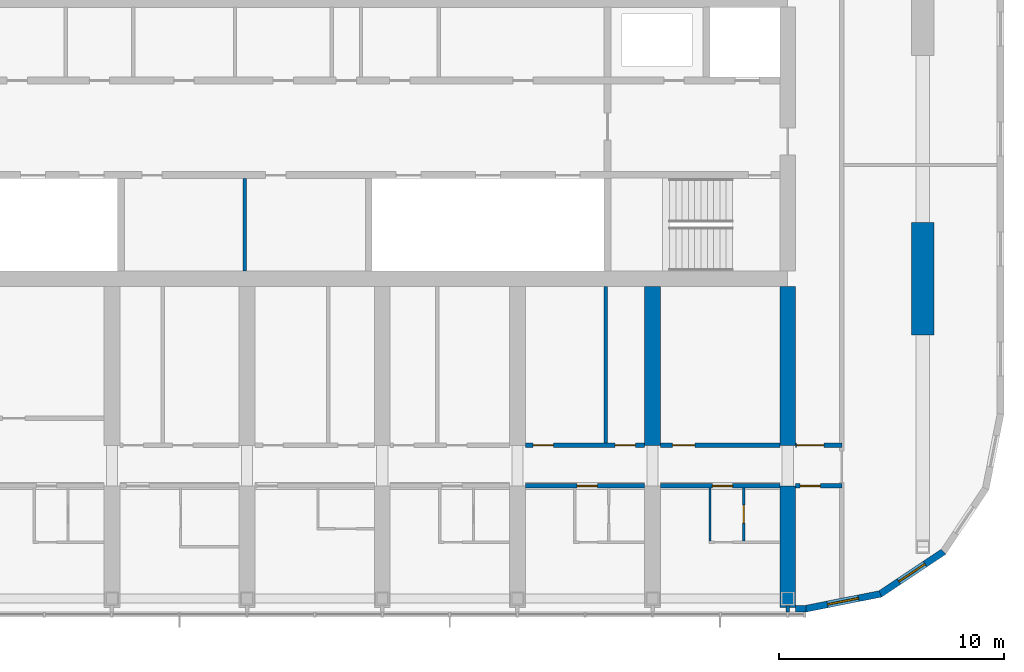
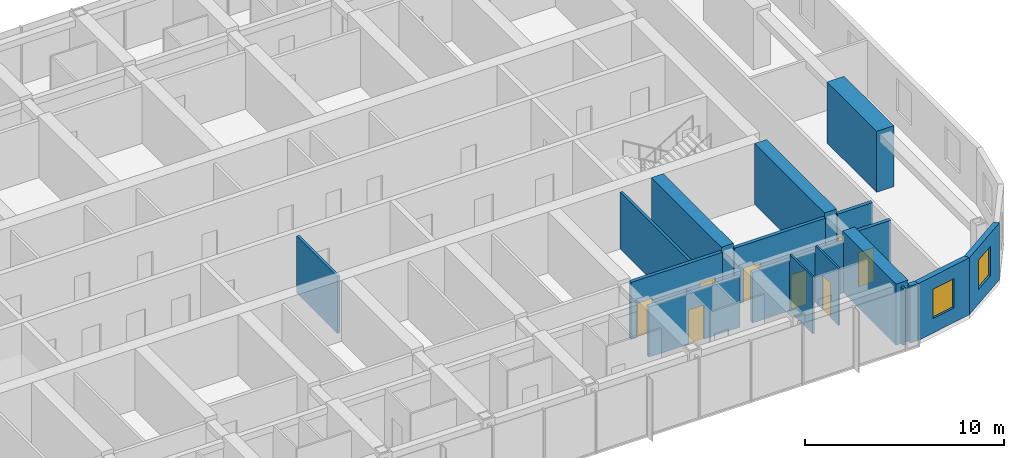
# One storey, part 13 of 23: 18 walls, 8 doors, 2 windows, 10 openings.
"""IFC4 building model written with IfcOpenShell, lengths in metres."""

from ifc_helpers import new_model, si_unit, direction, frame, frame_2d, origin, place, context, subcontext, project, spatial, polyline, rectangle, outline, extrude, material, layer, layer_set, type_object, element, fill, save


model = new_model("IFC4")

# Units and contexts
model_context = context("Model", 3, precision=1e-05, world=origin(), true_north=direction((0.0, 1.0)))
body_context = subcontext(model_context, "Body", "Model", "MODEL_VIEW")
ifc_project = project(units=[si_unit("LENGTHUNIT", "METRE"), si_unit("AREAUNIT", "SQUARE_METRE"), si_unit("VOLUMEUNIT", "CUBIC_METRE"), si_unit("PLANEANGLEUNIT", "RADIAN"), si_unit("MASSUNIT", "GRAM", prefix="KILO")], contexts=[model_context])

# Site, building, storey
site_placement = place(None, origin())
site = spatial("IfcSite", under=ifc_project, at=site_placement, CompositionType="ELEMENT")
building_placement = place(site_placement, origin())
building = spatial("IfcBuilding", under=site, at=building_placement, Name="Orbita Commons", CompositionType="ELEMENT")
storey_placement = place(building_placement, frame((0.0, 0.0, 250.300048828125)))
storey = spatial("IfcBuildingStorey", under=building, at=storey_placement, Name="L62", CompositionType="ELEMENT", Elevation=250.300048828125)

# Wall
ifc_material_1 = material(Name="Concrete blockwork", Category="masonry")
ifc_layer_1 = layer(ifc_material_1, 0.14990234375)
ifc_layer_set_1 = layer_set([ifc_layer_1], Name="Concrete blockwork")
wall_type_1 = type_object("IfcWallType", Name="Core partition 150 blockwork", PredefinedType="SOLIDWALL", material=ifc_layer_set_1)
wall_1_placement = place(storey_placement, frame((41.89990234375, 26.14990234375, 0.0), z_axis=(0.0, 0.0, 1.0), x_axis=(0.0, 1.0, 0.0)))
element("IfcWall", 1, at=wall_1_placement, inside=storey, type_object=wall_type_1, Name="Core partition 150 blockwork L62", PredefinedType="SOLIDWALL", context=body_context, shape_type="SweptSolid", body=[
    extrude(rectangle(XDim=4.10009765625, YDim=0.14990234375, at=frame_2d((2.050048828125, 0.0))), origin(), (0.0, 0.0, 1.0), 3.5),
])

# Wall, opening, door
ifc_material_2 = material(Name="Concrete blockwork", Category="masonry")
ifc_layer_2 = layer(ifc_material_2, 0.199951171875)
ifc_layer_set_2 = layer_set([ifc_layer_2], Name="Concrete blockwork")
wall_type_2 = type_object("IfcWallType", Name="Corridor wall 200 blockwork", PredefinedType="SOLIDWALL", material=ifc_layer_set_2)
wall_2_placement = place(storey_placement, frame((54.35009765625, 16.60009765625, 0.0), z_axis=(0.0, 0.0, 1.0), x_axis=(1.0, 0.0, 0.0)))
wall_2 = element("IfcWall", 2, at=wall_2_placement, inside=storey, type_object=wall_type_2, Name="Corridor wall 200 blockwork L62", PredefinedType="SOLIDWALL", context=body_context, shape_type="SweptSolid", body=[
    extrude(outline(polyline([(0.0, 0.0), (5.2998046875, 0.0), (5.300048828125, 3.099853515625), (0.0, 3.099853515625), (0.0, 0.0)])), frame((0.0, 0.10009765625, 0.0), z_axis=(0.0, -1.0, 0.0), x_axis=(1.0, 0.0, 0.0)), (0.0, 0.0, 1.0), 0.199951171875),
])
opening_1_placement = place(wall_2_placement, frame((2.300048828125, 0.0, 0.0)))
opening_1 = element("IfcOpeningElement", 3, at=opening_1_placement, cuts=wall_2, Name="Opening D11", PredefinedType="OPENING", context=body_context, shape_type="SweptSolid", body=[
    extrude(rectangle(XDim=0.89990234375, YDim=2.10009765625, at=frame_2d((0.449951171875, 1.050048828125))), frame((0.0, 0.10986328125, 0.0), z_axis=(0.0, -1.0, 0.0), x_axis=(1.0, 0.0, 0.0)), (0.0, 0.0, 1.0), 0.219970703125),
])
ifc_material_3 = material(Name="Steel-faced fire door leaf", Category="steel")
door_type_1 = type_object("IfcDoorType", Name="Corridor door 20 min 900x2100", OperationType="SINGLE_SWING_LEFT", PredefinedType="DOOR", material=ifc_material_3)
door_1_placement = place(opening_1_placement, origin())
door_1 = element("IfcDoor", 4, at=door_1_placement, inside=storey, type_object=door_type_1, Name="Studio flat L62-S12 entrance door", OperationType="SINGLE_SWING_LEFT", OverallHeight=2.10009765625, OverallWidth=0.89990234375, PredefinedType="DOOR", context=body_context, shape_type="SweptSolid", body=[
    extrude(rectangle(XDim=0.89990234375, YDim=2.10009765625, at=frame_2d((0.449951171875, 1.050048828125))), frame((0.0, 0.02490234375, 0.0), z_axis=(0.0, -1.0, 0.0), x_axis=(1.0, 0.0, 0.0)), (0.0, 0.0, 1.0), 0.050048828125),
])
fill(opening_1, door_1)

wall_3_placement = place(storey_placement, frame((60.35009765625, 16.60009765625, 0.0), z_axis=(0.0, 0.0, 1.0), x_axis=(1.0, 0.0, 0.0)))
wall_3 = element("IfcWall", 5, at=wall_3_placement, inside=storey, type_object=wall_type_2, Name="Corridor wall 200 blockwork L62", PredefinedType="SOLIDWALL", context=body_context, shape_type="SweptSolid", body=[
    extrude(outline(polyline([(0.0, 0.0), (5.2998046875, 0.0), (5.300048828125, 3.099853515625), (0.0, 3.099853515625), (0.0, 0.0)])), frame((0.0, 0.10009765625, 0.0), z_axis=(0.0, -1.0, 0.0), x_axis=(1.0, 0.0, 0.0)), (0.0, 0.0, 1.0), 0.199951171875),
])
opening_2_placement = place(wall_3_placement, frame((2.300048828125, 0.0, 0.0)))
opening_2 = element("IfcOpeningElement", 6, at=opening_2_placement, cuts=wall_3, Name="Opening D11", PredefinedType="OPENING", context=body_context, shape_type="SweptSolid", body=[
    extrude(rectangle(XDim=0.89990234375, YDim=2.10009765625, at=frame_2d((0.449951171875, 1.050048828125))), frame((0.0, 0.10986328125, 0.0), z_axis=(0.0, -1.0, 0.0), x_axis=(1.0, 0.0, 0.0)), (0.0, 0.0, 1.0), 0.219970703125),
])
door_2_placement = place(opening_2_placement, origin())
door_2 = element("IfcDoor", 7, at=door_2_placement, inside=storey, type_object=door_type_1, Name="Studio flat L62-S14 entrance door", OperationType="SINGLE_SWING_LEFT", OverallHeight=2.10009765625, OverallWidth=0.89990234375, PredefinedType="DOOR", context=body_context, shape_type="SweptSolid", body=[
    extrude(rectangle(XDim=0.89990234375, YDim=2.10009765625, at=frame_2d((0.449951171875, 1.050048828125))), frame((0.0, 0.02490234375, 0.0), z_axis=(0.0, -1.0, 0.0), x_axis=(1.0, 0.0, 0.0)), (0.0, 0.0, 1.0), 0.050048828125),
])
fill(opening_2, door_2)

wall_4_placement = place(storey_placement, frame((66.35009765625, 16.60009765625, 0.0), z_axis=(0.0, 0.0, 1.0), x_axis=(1.0, 0.0, 0.0)))
wall_4 = element("IfcWall", 8, at=wall_4_placement, inside=storey, type_object=wall_type_2, Name="Corridor wall 200 blockwork L62", PredefinedType="SOLIDWALL", context=body_context, shape_type="SweptSolid", body=[
    extrude(rectangle(XDim=2.0498046875, YDim=0.199951171875, at=frame_2d((1.02490234375, 0.0))), origin(), (0.0, 0.0, 1.0), 3.5),
])
opening_3_placement = place(wall_4_placement, frame((0.199951171875, 0.0, 0.0)))
opening_3 = element("IfcOpeningElement", 9, at=opening_3_placement, cuts=wall_4, Name="Opening D05", PredefinedType="OPENING", context=body_context, shape_type="SweptSolid", body=[
    extrude(rectangle(XDim=0.89990234375, YDim=2.10009765625, at=frame_2d((0.449951171875, 1.050048828125))), frame((0.0, 0.10986328125, 0.0), z_axis=(0.0, -1.0, 0.0), x_axis=(1.0, 0.0, 0.0)), (0.0, 0.0, 1.0), 0.219970703125),
])
ifc_material_4 = material(Name="Steel-faced fire door leaf", Category="steel")
door_type_2 = type_object("IfcDoorType", Name="Service door 20 min 900x2100", OperationType="SINGLE_SWING_LEFT", PredefinedType="DOOR", material=ifc_material_4)
door_3_placement = place(opening_3_placement, origin())
door_3 = element("IfcDoor", 10, at=door_3_placement, inside=storey, type_object=door_type_2, Name="Linen store L62-KES door", OperationType="SINGLE_SWING_LEFT", OverallHeight=2.10009765625, OverallWidth=0.89990234375, PredefinedType="DOOR", context=body_context, shape_type="SweptSolid", body=[
    extrude(rectangle(XDim=0.89990234375, YDim=2.10009765625, at=frame_2d((0.449951171875, 1.050048828125))), frame((0.0, 0.02490234375, 0.0), z_axis=(0.0, -1.0, 0.0), x_axis=(1.0, 0.0, 0.0)), (0.0, 0.0, 1.0), 0.050048828125),
])
fill(opening_3, door_3)

# Wall, openings, doors
ifc_material_5 = material(Name="Hollow concrete block 200", Category="concrete")
ifc_layer_3 = layer(ifc_material_5, 0.199951171875)
ifc_layer_set_3 = layer_set([ifc_layer_3], Name="Hollow concrete block 200")
wall_type_3 = type_object("IfcWallType", Name="Corridor wall 200 hollow concrete block", PredefinedType="SOLIDWALL", material=ifc_layer_set_3)
wall_5_placement = place(storey_placement, frame((54.35009765625, 18.39990234375, 0.0), z_axis=(0.0, 0.0, 1.0), x_axis=(1.0, 0.0, 0.0)))
wall_5 = element("IfcWall", 11, at=wall_5_placement, inside=storey, type_object=wall_type_3, Name="Corridor wall 200 hollow concrete block L62", PredefinedType="SOLIDWALL", context=body_context, shape_type="SweptSolid", body=[
    extrude(rectangle(XDim=5.2998046875, YDim=0.199951171875, at=frame_2d((2.64990234375, 0.0))), origin(), (0.0, 0.0, 1.0), 3.5),
])
opening_4_placement = place(wall_5_placement, frame((0.35009765625, 0.0, 0.0)))
opening_4 = element("IfcOpeningElement", 12, at=opening_4_placement, cuts=wall_5, Name="Opening D11", PredefinedType="OPENING", context=body_context, shape_type="SweptSolid", body=[
    extrude(rectangle(XDim=0.89990234375, YDim=2.10009765625, at=frame_2d((0.449951171875, 1.050048828125))), frame((0.0, 0.10986328125, 0.0), z_axis=(0.0, -1.0, 0.0), x_axis=(1.0, 0.0, 0.0)), (0.0, 0.0, 1.0), 0.219970703125),
])
opening_5_placement = place(wall_5_placement, frame((3.989990234375, 0.0, 0.0)))
opening_5 = element("IfcOpeningElement", 13, at=opening_5_placement, cuts=wall_5, Name="Opening D11", PredefinedType="OPENING", context=body_context, shape_type="SweptSolid", body=[
    extrude(rectangle(XDim=0.89990234375, YDim=2.10009765625, at=frame_2d((0.449951171875, 1.050048828125))), frame((0.0, 0.10986328125, 0.0), z_axis=(0.0, -1.0, 0.0), x_axis=(1.0, 0.0, 0.0)), (0.0, 0.0, 1.0), 0.219970703125),
])
door_4_placement = place(opening_4_placement, origin())
door_4 = element("IfcDoor", 14, at=door_4_placement, inside=storey, type_object=door_type_1, Name="Faculty pantry L62-BDS54 door", OperationType="SINGLE_SWING_LEFT", OverallHeight=2.10009765625, OverallWidth=0.89990234375, PredefinedType="DOOR", context=body_context, shape_type="SweptSolid", body=[
    extrude(rectangle(XDim=0.89990234375, YDim=2.10009765625, at=frame_2d((0.449951171875, 1.050048828125))), frame((0.0, 0.02490234375, 0.0), z_axis=(0.0, -1.0, 0.0), x_axis=(1.0, 0.0, 0.0)), (0.0, 0.0, 1.0), 0.050048828125),
])
fill(opening_4, door_4)
door_5_placement = place(opening_5_placement, origin())
door_5 = element("IfcDoor", 15, at=door_5_placement, inside=storey, type_object=door_type_1, Name="Equipment store L62-BDS54n door", OperationType="SINGLE_SWING_LEFT", OverallHeight=2.10009765625, OverallWidth=0.89990234375, PredefinedType="DOOR", context=body_context, shape_type="SweptSolid", body=[
    extrude(rectangle(XDim=0.89990234375, YDim=2.10009765625, at=frame_2d((0.449951171875, 1.050048828125))), frame((0.0, 0.02490234375, 0.0), z_axis=(0.0, -1.0, 0.0), x_axis=(1.0, 0.0, 0.0)), (0.0, 0.0, 1.0), 0.050048828125),
])
fill(opening_5, door_5)

# Wall, opening, door
wall_6_placement = place(storey_placement, frame((60.35009765625, 18.39990234375, 0.0), z_axis=(0.0, 0.0, 1.0), x_axis=(1.0, 0.0, 0.0)))
wall_6 = element("IfcWall", 16, at=wall_6_placement, inside=storey, type_object=wall_type_3, Name="Corridor wall 200 hollow concrete block L62", PredefinedType="SOLIDWALL", context=body_context, shape_type="SweptSolid", body=[
    extrude(rectangle(XDim=5.2998046875, YDim=0.199951171875, at=frame_2d((2.64990234375, 0.0))), origin(), (0.0, 0.0, 1.0), 3.5),
])
opening_6_placement = place(wall_6_placement, frame((0.52490234375, 0.0, 0.0)))
opening_6 = element("IfcOpeningElement", 17, at=opening_6_placement, cuts=wall_6, Name="Opening D06", PredefinedType="OPENING", context=body_context, shape_type="SweptSolid", body=[
    extrude(rectangle(XDim=1.0, YDim=2.10009765625, at=frame_2d((0.5, 1.050048828125))), frame((0.0, 0.10986328125, 0.0), z_axis=(0.0, -1.0, 0.0), x_axis=(1.0, 0.0, 0.0)), (0.0, 0.0, 1.0), 0.219970703125),
])
ifc_material_6 = material(Name="Steel-faced fire door leaf", Category="steel")
door_type_3 = type_object("IfcDoorType", Name="Corridor door 20 min 1000x2100", OperationType="SINGLE_SWING_LEFT", PredefinedType="DOOR", material=ifc_material_6)
door_6_placement = place(opening_6_placement, origin())
door_6 = element("IfcDoor", 18, at=door_6_placement, inside=storey, type_object=door_type_3, Name="Parcel and post room L62-BDS60 door", OperationType="SINGLE_SWING_LEFT", OverallHeight=2.10009765625, OverallWidth=1.0, PredefinedType="DOOR", context=body_context, shape_type="SweptSolid", body=[
    extrude(rectangle(XDim=1.0, YDim=2.10009765625, at=frame_2d((0.5, 1.050048828125))), frame((0.0, 0.02490234375, 0.0), z_axis=(0.0, -1.0, 0.0), x_axis=(1.0, 0.0, 0.0)), (0.0, 0.0, 1.0), 0.050048828125),
])
fill(opening_6, door_6)

wall_7_placement = place(storey_placement, frame((66.35009765625, 18.39990234375, 0.0), z_axis=(0.0, 0.0, 1.0), x_axis=(1.0, 0.0, 0.0)))
wall_7 = element("IfcWall", 19, at=wall_7_placement, inside=storey, type_object=wall_type_3, Name="Corridor wall 200 hollow concrete block L62", PredefinedType="SOLIDWALL", context=body_context, shape_type="SweptSolid", body=[
    extrude(rectangle(XDim=2.0498046875, YDim=0.199951171875, at=frame_2d((1.02490234375, 0.0))), origin(), (0.0, 0.0, 1.0), 3.5),
])
opening_7_placement = place(wall_7_placement, frame((0.050048828125, 0.0, 0.0)))
opening_7 = element("IfcOpeningElement", 20, at=opening_7_placement, cuts=wall_7, Name="Opening D12", PredefinedType="OPENING", context=body_context, shape_type="SweptSolid", body=[
    extrude(rectangle(XDim=1.199951171875, YDim=2.10009765625, at=frame_2d((0.60009765625, 1.050048828125))), frame((0.0, 0.10986328125, 0.0), z_axis=(0.0, -1.0, 0.0), x_axis=(1.0, 0.0, 0.0)), (0.0, 0.0, 1.0), 0.219970703125),
])
ifc_material_7 = material(Name="Steel-faced fire door leaf", Category="steel")
door_type_4 = type_object("IfcDoorType", Name="Double corridor door 20 min 1200x2100", OperationType="DOUBLE_DOOR_SINGLE_SWING", PredefinedType="DOOR", material=ifc_material_7)
door_7_placement = place(opening_7_placement, origin())
door_7 = element("IfcDoor", 21, at=door_7_placement, inside=storey, type_object=door_type_4, Name="Cross corridor doors", OperationType="DOUBLE_DOOR_SINGLE_SWING", OverallHeight=2.10009765625, OverallWidth=1.199951171875, PredefinedType="DOOR", context=body_context, shape_type="SweptSolid", body=[
    extrude(rectangle(XDim=1.199951171875, YDim=2.10009765625, at=frame_2d((0.60009765625, 1.050048828125))), frame((0.0, 0.02490234375, 0.0), z_axis=(0.0, -1.0, 0.0), x_axis=(1.0, 0.0, 0.0)), (0.0, 0.0, 1.0), 0.050048828125),
])
fill(opening_7, door_7)

# Walls
ifc_material_8 = material(Name="Concrete C50/60", Category="concrete")
ifc_layer_4 = layer(ifc_material_8, 0.699951171875)
ifc_layer_set_4 = layer_set([ifc_layer_4], Name="Concrete C50/60")
wall_type_4 = type_object("IfcWallType", Name="Cross wall 700 C50/60", PredefinedType="SHEAR", material=ifc_layer_set_4)
wall_8_placement = place(storey_placement, frame((60.0, 18.39990234375, 0.0), z_axis=(0.0, 0.0, 1.0), x_axis=(0.0, 1.0, 0.0)))
element("IfcWall", 22, at=wall_8_placement, inside=storey, type_object=wall_type_4, Name="Cross wall 11 south inner L62", PredefinedType="SHEAR", context=body_context, shape_type="SweptSolid", body=[
    extrude(rectangle(XDim=7.050048828125, YDim=0.699951171875, at=frame_2d((3.52490234375, 0.0))), origin(), (0.0, 0.0, 1.0), 3.75),
])
wall_9_placement = place(storey_placement, frame((66.0, 11.199951171875, 0.0), z_axis=(0.0, 0.0, 1.0), x_axis=(0.0, 1.0, 0.0)))
element("IfcWall", 23, at=wall_9_placement, inside=storey, type_object=wall_type_4, Name="Cross wall 12 south outer L62", PredefinedType="SHEAR", context=body_context, shape_type="SweptSolid", body=[
    extrude(rectangle(XDim=5.400146484375, YDim=0.699951171875, at=frame_2d((2.7001953125, 0.0))), origin(), (0.0, 0.0, 1.0), 3.75),
])
wall_10_placement = place(storey_placement, frame((66.0, 18.39990234375, 0.0), z_axis=(0.0, 0.0, 1.0), x_axis=(0.0, 1.0, 0.0)))
element("IfcWall", 24, at=wall_10_placement, inside=storey, type_object=wall_type_4, Name="Cross wall 12 south inner L62", PredefinedType="SHEAR", context=body_context, shape_type="SweptSolid", body=[
    extrude(rectangle(XDim=7.050048828125, YDim=0.699951171875, at=frame_2d((3.52490234375, 0.0))), origin(), (0.0, 0.0, 1.0), 3.75),
])
ifc_material_9 = material(Name="Moisture-resistant plasterboard on steel studs", Category="steel")
ifc_layer_5 = layer(ifc_material_9, 0.10009765625)
ifc_layer_set_5 = layer_set([ifc_layer_5], Name="Moisture-resistant plasterboard on steel studs")
wall_type_5 = type_object("IfcWallType", Name="En-suite partition 100", PredefinedType="PARTITIONING", material=ifc_layer_set_5)
wall_11_placement = place(storey_placement, frame((62.550048828125, 14.14990234375, 0.0), z_axis=(0.0, 0.0, 1.0), x_axis=(0.0, 1.0, 0.0)))
element("IfcWall", 25, at=wall_11_placement, inside=storey, type_object=wall_type_5, Name="En-suite partition 100 L62", PredefinedType="PARTITIONING", context=body_context, shape_type="SweptSolid", body=[
    extrude(outline(polyline([(0.0, 0.0), (2.35009765625, 0.0), (2.35009765625, 3.099853515625), (2.302001953125, 3.099853515625), (2.300048828125, 3.5), (0.0, 3.5), (0.0, 0.0)])), frame((0.0, 0.050048828125, 0.0), z_axis=(0.0, -1.0, 0.0), x_axis=(1.0, 0.0, 0.0)), (0.0, 0.0, 1.0), 0.10009765625),
])

# Wall, opening, door
wall_12_placement = place(storey_placement, frame((64.050048828125, 14.14990234375, 0.0), z_axis=(0.0, 0.0, 1.0), x_axis=(0.0, 1.0, 0.0)))
wall_12 = element("IfcWall", 26, at=wall_12_placement, inside=storey, type_object=wall_type_5, Name="En-suite partition 100 L62", PredefinedType="PARTITIONING", context=body_context, shape_type="SweptSolid", body=[
    extrude(outline(polyline([(0.0, 0.0), (2.35009765625, 0.0), (2.35009765625, 3.099853515625), (2.302001953125, 3.099853515625), (2.300048828125, 3.5), (0.0, 3.5), (0.0, 0.0)])), frame((0.0, 0.050048828125, 0.0), z_axis=(0.0, -1.0, 0.0), x_axis=(1.0, 0.0, 0.0)), (0.0, 0.0, 1.0), 0.10009765625),
])
opening_8_placement = place(wall_12_placement, frame((0.800048828125, 0.0, 0.0)))
opening_8 = element("IfcOpeningElement", 27, at=opening_8_placement, cuts=wall_12, Name="Opening D16", PredefinedType="OPENING", context=body_context, shape_type="SweptSolid", body=[
    extrude(rectangle(XDim=0.800048828125, YDim=2.10009765625, at=frame_2d((0.39990234375, 1.050048828125))), frame((0.0, 0.06005859375, 0.0), z_axis=(0.0, -1.0, 0.0), x_axis=(1.0, 0.0, 0.0)), (0.0, 0.0, 1.0), 0.1201171875),
])
ifc_material_10 = material(Name="Laminated timber door leaf", Category="wood")
door_type_5 = type_object("IfcDoorType", Name="En-suite door 800x2100", OperationType="SINGLE_SWING_RIGHT", PredefinedType="DOOR", material=ifc_material_10)
door_8_placement = place(opening_8_placement, origin())
door_8 = element("IfcDoor", 28, at=door_8_placement, inside=storey, type_object=door_type_5, Name="Studio flat shower room L62-S14 door", OperationType="SINGLE_SWING_RIGHT", OverallHeight=2.10009765625, OverallWidth=0.800048828125, PredefinedType="DOOR", context=body_context, shape_type="SweptSolid", body=[
    extrude(rectangle(XDim=0.800048828125, YDim=2.10009765625, at=frame_2d((0.39990234375, 1.050048828125))), frame((0.0, 0.02490234375, 0.0), z_axis=(0.0, -1.0, 0.0), x_axis=(1.0, 0.0, 0.0)), (0.0, 0.0, 1.0), 0.050048828125),
])
fill(opening_8, door_8)

# Walls
ifc_material_11 = material(Name="Concrete C50/60", Category="concrete")
ifc_layer_6 = layer(ifc_material_11, 1.0)
ifc_layer_set_6 = layer_set([ifc_layer_6], Name="Concrete C50/60")
wall_type_6 = type_object("IfcWallType", Name="End pier 1000x5000 C50/60", PredefinedType="SHEAR", material=ifc_layer_set_6)
wall_13_placement = place(storey_placement, frame((72.0, 23.300048828125, 0.0), z_axis=(0.0, 0.0, 1.0), x_axis=(0.0, 1.0, 0.0)))
element("IfcWall", 29, at=wall_13_placement, inside=storey, type_object=wall_type_6, Name="End pier 13/C L62", PredefinedType="SHEAR", context=body_context, shape_type="SweptSolid", body=[
    extrude(rectangle(XDim=5.0, YDim=1.0, at=frame_2d((2.5, 0.0))), origin(), (0.0, 0.0, 1.0), 3.75),
])
ifc_material_12 = material(Name="Gypsum plasterboard on steel studs", Category="steel")
ifc_layer_7 = layer(ifc_material_12, 0.14990234375)
ifc_layer_set_7 = layer_set([ifc_layer_7], Name="Gypsum plasterboard on steel studs")
wall_type_7 = type_object("IfcWallType", Name="Partition 150 plasterboard", PredefinedType="PARTITIONING", material=ifc_layer_set_7)
wall_14_placement = place(storey_placement, frame((57.9150390625, 18.5, 0.0), z_axis=(0.0, 0.0, 1.0), x_axis=(0.0, 1.0, 0.0)))
element("IfcWall", 30, at=wall_14_placement, inside=storey, type_object=wall_type_7, Name="Partition 150 plasterboard L62", PredefinedType="PARTITIONING", context=body_context, shape_type="SweptSolid", body=[
    extrude(rectangle(XDim=6.949951171875, YDim=0.14990234375, at=frame_2d((3.47509765625, 0.0))), origin(), (0.0, 0.0, 1.0), 3.5),
])
wall_15_placement = place(storey_placement, frame((66.0, 11.300048828125, 0.0), z_axis=(0.0, 0.0, 1.0), x_axis=(0.0, -1.0, 0.0)))
element("IfcWall", 31, at=wall_15_placement, inside=storey, type_object=wall_type_7, Name="Partition 150 plasterboard L62", PredefinedType="PARTITIONING", context=body_context, shape_type="SweptSolid", body=[
    extrude(rectangle(XDim=0.2900390625, YDim=0.14990234375, at=frame_2d((0.14501953125, 0.0))), origin(), (0.0, 0.0, 1.0), 3.5),
])

# Wall, opening, window
ifc_material_13 = material(Name="Precast concrete C40/50, white board-marked finish", Category="concrete")
ifc_layer_8 = layer(ifc_material_13, 0.300048828125)
ifc_layer_set_8 = layer_set([ifc_layer_8], Name="Precast concrete C40/50, white board-marked finish")
wall_type_8 = type_object("IfcWallType", Name="Precast concrete end shield 300", PredefinedType="SOLIDWALL", material=ifc_layer_set_8)
wall_16_placement = place(storey_placement, frame((66.800048828125, 11.14990234375, 0.0), z_axis=(0.0, 0.0, 1.0), x_axis=(0.98078325777, 0.195100490205, 0.0)))
wall_16 = element("IfcWall", 32, at=wall_16_placement, inside=storey, type_object=wall_type_8, Name="End shield SE chord 1 L62", PredefinedType="SOLIDWALL", context=body_context, shape_type="SweptSolid", body=[
    extrude(outline(polyline([(-0.02978515625, -0.14990234375), (3.40478515625, -0.14990234375), (3.34521484375, 0.14990234375), (0.02978515625, 0.14990234375), (-0.02978515625, -0.14990234375)])), origin(), (0.0, 0.0, 1.0), 3.5),
])
opening_9_placement = place(wall_16_placement, frame((0.987548828125, 0.0, 0.89990234375)))
opening_9 = element("IfcOpeningElement", 33, at=opening_9_placement, cuts=wall_16, Name="Opening W02", PredefinedType="OPENING", context=body_context, shape_type="SweptSolid", body=[
    extrude(rectangle(XDim=1.39990234375, YDim=1.800048828125, at=frame_2d((0.699951171875, 0.89990234375))), frame((0.0, 0.159912109375, 0.0), z_axis=(0.0, -1.0, 0.0), x_axis=(1.0, 0.0, 0.0)), (0.0, 0.0, 1.0), 0.320068359375),
])
ifc_material_14 = material(Name="Aluminium frame, clear double glazing", Category="aluminium")
window_type = type_object("IfcWindowType", Name="Deep-set window 1400x1800", PartitioningType="SINGLE_PANEL", PredefinedType="WINDOW", material=ifc_material_14)
window_1_placement = place(opening_9_placement, origin())
window_1 = element("IfcWindow", 34, at=window_1_placement, inside=storey, type_object=window_type, Name="Window L62-SE0", OverallHeight=1.800048828125, OverallWidth=1.39990234375, PartitioningType="SINGLE_PANEL", PredefinedType="WINDOW", context=body_context, shape_type="SweptSolid", body=[
    extrude(rectangle(XDim=1.39990234375, YDim=1.800048828125, at=frame_2d((0.699951171875, 0.89990234375))), frame((0.0, 0.030029296875, 0.0), z_axis=(0.0, -1.0, 0.0), x_axis=(1.0, 0.0, 0.0)), (0.0, 0.0, 1.0), 0.06005859375),
])
fill(opening_9, window_1)

wall_17_placement = place(storey_placement, frame((70.110107421875, 11.808349609375, 0.0), z_axis=(0.0, 0.0, 1.0), x_axis=(0.831460037396, 0.555584562613, 0.0)))
wall_17 = element("IfcWall", 35, at=wall_17_placement, inside=storey, type_object=wall_type_8, Name="End shield SE chord 2 L62", PredefinedType="SOLIDWALL", context=body_context, shape_type="SweptSolid", body=[
    extrude(outline(polyline([(-0.02978515625, -0.14990234375), (3.405029296875, -0.14990234375), (3.345458984375, 0.14990234375), (0.02978515625, 0.14990234375), (-0.02978515625, -0.14990234375)])), origin(), (0.0, 0.0, 1.0), 3.5),
])
opening_10_placement = place(wall_17_placement, frame((0.987548828125, 0.0, 0.89990234375)))
opening_10 = element("IfcOpeningElement", 36, at=opening_10_placement, cuts=wall_17, Name="Opening W02", PredefinedType="OPENING", context=body_context, shape_type="SweptSolid", body=[
    extrude(rectangle(XDim=1.39990234375, YDim=1.800048828125, at=frame_2d((0.699951171875, 0.89990234375))), frame((0.0, 0.159912109375, 0.0), z_axis=(0.0, -1.0, 0.0), x_axis=(1.0, 0.0, 0.0)), (0.0, 0.0, 1.0), 0.320068359375),
])
window_2_placement = place(opening_10_placement, origin())
window_2 = element("IfcWindow", 37, at=window_2_placement, inside=storey, type_object=window_type, Name="Window L62-SE1", OverallHeight=1.800048828125, OverallWidth=1.39990234375, PartitioningType="SINGLE_PANEL", PredefinedType="WINDOW", context=body_context, shape_type="SweptSolid", body=[
    extrude(rectangle(XDim=1.39990234375, YDim=1.800048828125, at=frame_2d((0.699951171875, 0.89990234375))), frame((0.0, 0.030029296875, 0.0), z_axis=(0.0, -1.0, 0.0), x_axis=(1.0, 0.0, 0.0)), (0.0, 0.0, 1.0), 0.06005859375),
])
fill(opening_10, window_2)

# Wall
wall_18_placement = place(storey_placement, frame((66.800048828125, 11.14990234375, 0.0), z_axis=(0.0, 0.0, 1.0), x_axis=(-1.0, 0.0, 0.0)))
element("IfcWall", 38, at=wall_18_placement, inside=storey, type_object=wall_type_8, Name="End shield SE closer L62", PredefinedType="SOLIDWALL", context=body_context, shape_type="SweptSolid", body=[
    extrude(rectangle(XDim=0.449951171875, YDim=0.300048828125, at=frame_2d((0.22509765625, 0.0))), origin(), (0.0, 0.0, 1.0), 3.5),
])

save(model, "model.ifc")
